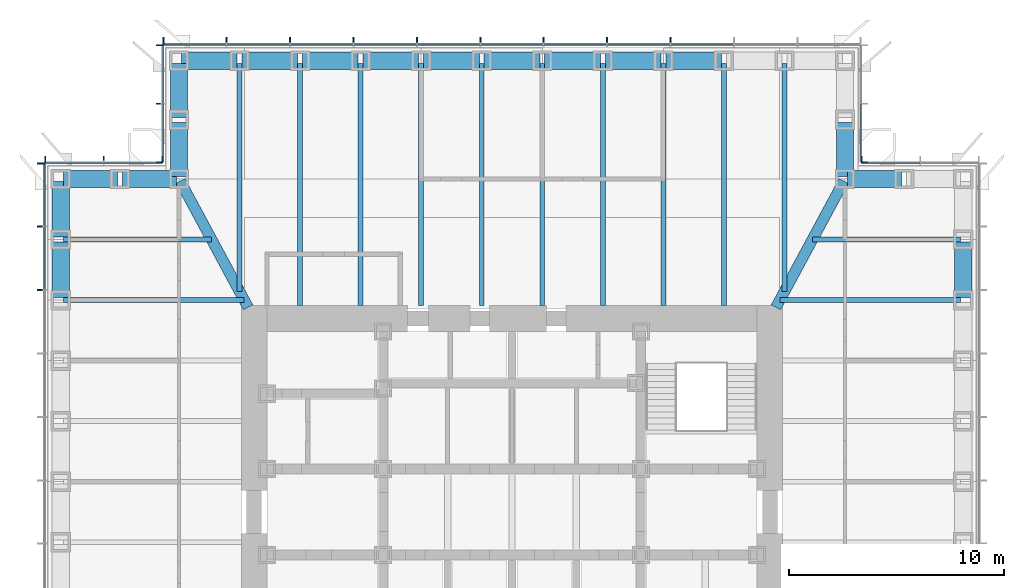
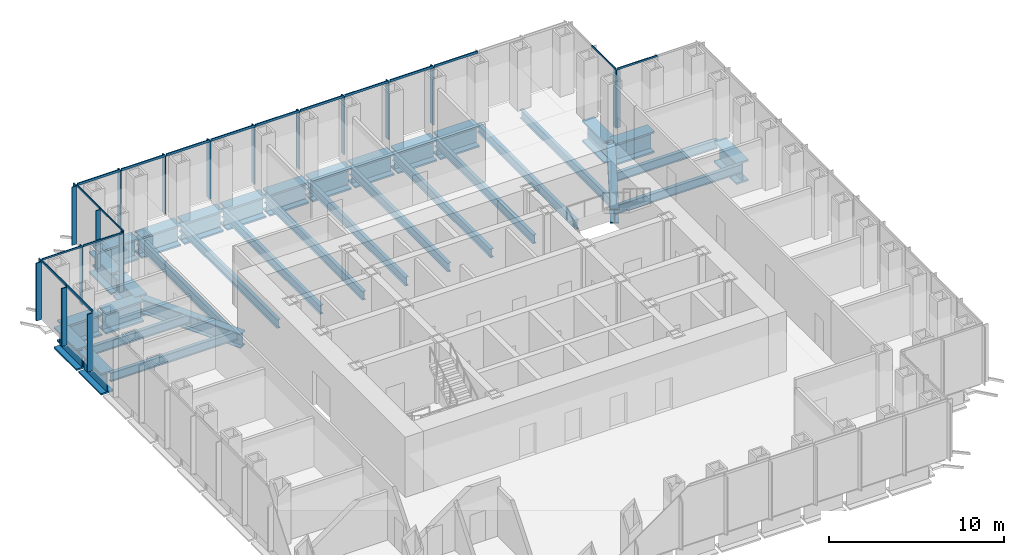
# One storey, part 5 of 17: 37 members, 34 beams, 6 elements without a shape of their own.
"""IFC4 building model written with IfcOpenShell, lengths in metres."""

from ifc_helpers import new_model, si_unit, direction, frame, origin, origin_2d, place, context, subcontext, project, spatial, rectangle, i_section, extrude, material, material_profile, profile_set, type_object, element, aggregate, save


model = new_model("IFC4")

# Units and contexts
model_context = context("Model", 3, precision=1e-05, world=origin(), true_north=direction((0.0, 1.0)))
body_context = subcontext(model_context, "Body", "Model", "MODEL_VIEW")
ifc_project = project(units=[si_unit("LENGTHUNIT", "METRE"), si_unit("AREAUNIT", "SQUARE_METRE"), si_unit("VOLUMEUNIT", "CUBIC_METRE"), si_unit("PLANEANGLEUNIT", "RADIAN"), si_unit("MASSUNIT", "GRAM", prefix="KILO")], contexts=[model_context])

# Site, building, storey
site_placement = place(None, origin())
site = spatial("IfcSite", under=ifc_project, at=site_placement, CompositionType="ELEMENT")
building_placement = place(site_placement, origin())
building = spatial("IfcBuilding", under=site, at=building_placement, Name="Daluyong Arena Tower", CompositionType="ELEMENT")
storey_placement = place(building_placement, frame((0.0, 0.0, 185.5)))
storey = spatial("IfcBuildingStorey", under=building, at=storey_placement, Name="L41", CompositionType="ELEMENT", Elevation=185.5)

# Curtain wall, members
ifc_material_1 = material(Name="Bronze anodised aluminium and glass", Category="aluminium")
curtain_wall_type_1 = type_object("IfcCurtainWallType", Name="Curtain wall CW3", PredefinedType="USERDEFINED", material=ifc_material_1)
curtain_wall_1_placement = place(storey_placement, origin())
curtain_wall_1 = element("IfcCurtainWall", 1, at=curtain_wall_1_placement, inside=storey, type_object=curtain_wall_type_1, Name="curtain wall L41 N", ObjectType="UNITISED CURTAIN WALL", PredefinedType="USERDEFINED")
ifc_material_2 = material(Name="Bronze anodised aluminium fin", Category="aluminium")
ifc_material_profile_1 = material_profile(ifc_material_2, rectangle(XDim=0.35009765625, YDim=0.070068359375, at=origin_2d()))
ifc_profile_set_1 = profile_set([ifc_material_profile_1], Name="Bronze anodised aluminium fin")
member_type_1 = type_object("IfcMemberType", Name="CW3 bronze fin 350x70", PredefinedType="MULLION", material=ifc_profile_set_1)
member_1_placement = place(storey_placement, frame((63.386474609375, 101.925048828125, 0.0), z_axis=(0.0, 0.0, 1.0), x_axis=(0.0, -1.0, 0.0)))
member_1 = element("IfcMember", 2, at=member_1_placement, type_object=member_type_1, Name="curtain wall L41 N fin 4", PredefinedType="MULLION", context=body_context, shape_type="SweptSolid", body=[
    extrude(rectangle(XDim=0.35009765625, YDim=0.070068359375, at=origin_2d()), origin(), (0.0, 0.0, 1.0), 4.0400390625),
])
member_2_placement = place(storey_placement, frame((60.431884765625, 101.925048828125, 0.0), z_axis=(0.0, 0.0, 1.0), x_axis=(0.0, -1.0, 0.0)))
member_2 = element("IfcMember", 3, at=member_2_placement, type_object=member_type_1, Name="curtain wall L41 N fin 5", PredefinedType="MULLION", context=body_context, shape_type="SweptSolid", body=[
    extrude(rectangle(XDim=0.35009765625, YDim=0.070068359375, at=origin_2d()), origin(), (0.0, 0.0, 1.0), 4.0400390625),
])
member_3_placement = place(storey_placement, frame((57.477294921875, 101.925048828125, 0.0), z_axis=(0.0, 0.0, 1.0), x_axis=(0.0, -1.0, 0.0)))
member_3 = element("IfcMember", 4, at=member_3_placement, type_object=member_type_1, Name="curtain wall L41 N fin 6", PredefinedType="MULLION", context=body_context, shape_type="SweptSolid", body=[
    extrude(rectangle(XDim=0.35009765625, YDim=0.070068359375, at=origin_2d()), origin(), (0.0, 0.0, 1.0), 4.0400390625),
])
member_4_placement = place(storey_placement, frame((54.522705078125, 101.925048828125, 0.0), z_axis=(0.0, 0.0, 1.0), x_axis=(0.0, -1.0, 0.0)))
member_4 = element("IfcMember", 5, at=member_4_placement, type_object=member_type_1, Name="curtain wall L41 N fin 7", PredefinedType="MULLION", context=body_context, shape_type="SweptSolid", body=[
    extrude(rectangle(XDim=0.35009765625, YDim=0.070068359375, at=origin_2d()), origin(), (0.0, 0.0, 1.0), 4.0400390625),
])
member_5_placement = place(storey_placement, frame((51.568115234375, 101.925048828125, 0.0), z_axis=(0.0, 0.0, 1.0), x_axis=(0.0, -1.0, 0.0)))
member_5 = element("IfcMember", 6, at=member_5_placement, type_object=member_type_1, Name="curtain wall L41 N fin 8", PredefinedType="MULLION", context=body_context, shape_type="SweptSolid", body=[
    extrude(rectangle(XDim=0.35009765625, YDim=0.070068359375, at=origin_2d()), origin(), (0.0, 0.0, 1.0), 4.0400390625),
])
member_6_placement = place(storey_placement, frame((48.613525390625, 101.925048828125, 0.0), z_axis=(0.0, 0.0, 1.0), x_axis=(0.0, -1.0, 0.0)))
member_6 = element("IfcMember", 7, at=member_6_placement, type_object=member_type_1, Name="curtain wall L41 N fin 9", PredefinedType="MULLION", context=body_context, shape_type="SweptSolid", body=[
    extrude(rectangle(XDim=0.35009765625, YDim=0.070068359375, at=origin_2d()), origin(), (0.0, 0.0, 1.0), 4.0400390625),
])
member_7_placement = place(storey_placement, frame((45.6591796875, 101.925048828125, 0.0), z_axis=(0.0, 0.0, 1.0), x_axis=(0.0, -1.0, 0.0)))
member_7 = element("IfcMember", 8, at=member_7_placement, type_object=member_type_1, Name="curtain wall L41 N fin 10", PredefinedType="MULLION", context=body_context, shape_type="SweptSolid", body=[
    extrude(rectangle(XDim=0.35009765625, YDim=0.070068359375, at=origin_2d()), origin(), (0.0, 0.0, 1.0), 4.0400390625),
])
member_8_placement = place(storey_placement, frame((42.70458984375, 101.925048828125, 0.0), z_axis=(0.0, 0.0, 1.0), x_axis=(0.0, -1.0, 0.0)))
member_8 = element("IfcMember", 9, at=member_8_placement, type_object=member_type_1, Name="curtain wall L41 N fin 11", PredefinedType="MULLION", context=body_context, shape_type="SweptSolid", body=[
    extrude(rectangle(XDim=0.35009765625, YDim=0.070068359375, at=origin_2d()), origin(), (0.0, 0.0, 1.0), 4.0400390625),
])
member_9_placement = place(storey_placement, frame((39.784912109375, 101.925048828125, 0.0), z_axis=(0.0, 0.0, 1.0), x_axis=(0.0, -1.0, 0.0)))
member_9 = element("IfcMember", 10, at=member_9_placement, type_object=member_type_1, Name="curtain wall L41 N fin 12", PredefinedType="MULLION", context=body_context, shape_type="SweptSolid", body=[
    extrude(rectangle(XDim=0.35009765625, YDim=0.070068359375, at=origin_2d()), origin(), (0.0, 0.0, 1.0), 4.0400390625),
])

curtain_wall_2_placement = place(storey_placement, origin())
curtain_wall_2 = element("IfcCurtainWall", 11, at=curtain_wall_2_placement, inside=storey, type_object=curtain_wall_type_1, Name="curtain wall L41 W", ObjectType="UNITISED CURTAIN WALL", PredefinedType="USERDEFINED")
member_10_placement = place(storey_placement, frame((34.074951171875, 96.215087890625, 0.0), z_axis=(0.0, 0.0, 1.0), x_axis=(1.0, 0.0, 0.0)))
member_10 = element("IfcMember", 12, at=member_10_placement, type_object=member_type_1, Name="curtain wall L41 W fin 1", PredefinedType="MULLION", context=body_context, shape_type="SweptSolid", body=[
    extrude(rectangle(XDim=0.35009765625, YDim=0.070068359375, at=origin_2d()), origin(), (0.0, 0.0, 1.0), 4.0400390625),
])
member_11_placement = place(storey_placement, frame((34.074951171875, 93.29541015625, 0.0), z_axis=(0.0, 0.0, 1.0), x_axis=(1.0, 0.0, 0.0)))
member_11 = element("IfcMember", 13, at=member_11_placement, type_object=member_type_1, Name="curtain wall L41 W fin 2", PredefinedType="MULLION", context=body_context, shape_type="SweptSolid", body=[
    extrude(rectangle(XDim=0.35009765625, YDim=0.070068359375, at=origin_2d()), origin(), (0.0, 0.0, 1.0), 4.0400390625),
])
member_12_placement = place(storey_placement, frame((34.074951171875, 90.3408203125, 0.0), z_axis=(0.0, 0.0, 1.0), x_axis=(1.0, 0.0, 0.0)))
member_12 = element("IfcMember", 14, at=member_12_placement, type_object=member_type_1, Name="curtain wall L41 W fin 3", PredefinedType="MULLION", context=body_context, shape_type="SweptSolid", body=[
    extrude(rectangle(XDim=0.35009765625, YDim=0.070068359375, at=origin_2d()), origin(), (0.0, 0.0, 1.0), 4.0400390625),
])

# Member
ifc_material_3 = material(Name="Bronze anodised aluminium", Category="aluminium")
ifc_material_profile_2 = material_profile(ifc_material_3, rectangle(XDim=0.070068359375, YDim=0.159912109375, at=origin_2d()))
ifc_profile_set_2 = profile_set([ifc_material_profile_2], Name="Bronze anodised aluminium")
member_type_2 = type_object("IfcMemberType", Name="CW3 stack transom 160x70", PredefinedType="USERDEFINED", material=ifc_profile_set_2)
member_13_placement = place(storey_placement, frame((66.305908203125, 101.75, 4.1201171875), z_axis=(-1.0, 0.0, 0.0), x_axis=(0.0, -1.0, 0.0)))
member_13 = element("IfcMember", 15, at=member_13_placement, type_object=member_type_2, Name="curtain wall L41 N transom 3", ObjectType="TRANSOM", PredefinedType="USERDEFINED", context=body_context, shape_type="SweptSolid", body=[
    extrude(rectangle(XDim=0.070068359375, YDim=0.159912109375, at=origin_2d()), origin(), (0.0, 0.0, 1.0), 2.884521484375),
])

member_14_placement = place(storey_placement, frame((63.351318359375, 101.75, 4.1201171875), z_axis=(-1.0, 0.0, 0.0), x_axis=(0.0, -1.0, 0.0)))
member_14 = element("IfcMember", 16, at=member_14_placement, type_object=member_type_2, Name="curtain wall L41 N transom 4", ObjectType="TRANSOM", PredefinedType="USERDEFINED", context=body_context, shape_type="SweptSolid", body=[
    extrude(rectangle(XDim=0.070068359375, YDim=0.159912109375, at=origin_2d()), origin(), (0.0, 0.0, 1.0), 2.884521484375),
])

member_15_placement = place(storey_placement, frame((60.396728515625, 101.75, 4.1201171875), z_axis=(-1.0, 0.0, 0.0), x_axis=(0.0, -1.0, 0.0)))
member_15 = element("IfcMember", 17, at=member_15_placement, type_object=member_type_2, Name="curtain wall L41 N transom 5", ObjectType="TRANSOM", PredefinedType="USERDEFINED", context=body_context, shape_type="SweptSolid", body=[
    extrude(rectangle(XDim=0.070068359375, YDim=0.159912109375, at=origin_2d()), origin(), (0.0, 0.0, 1.0), 2.884521484375),
])

member_16_placement = place(storey_placement, frame((57.4423828125, 101.75, 4.1201171875), z_axis=(-1.0, 0.0, 0.0), x_axis=(0.0, -1.0, 0.0)))
member_16 = element("IfcMember", 18, at=member_16_placement, type_object=member_type_2, Name="curtain wall L41 N transom 6", ObjectType="TRANSOM", PredefinedType="USERDEFINED", context=body_context, shape_type="SweptSolid", body=[
    extrude(rectangle(XDim=0.070068359375, YDim=0.159912109375, at=origin_2d()), origin(), (0.0, 0.0, 1.0), 2.884765625),
])

member_17_placement = place(storey_placement, frame((54.48779296875, 101.75, 4.1201171875), z_axis=(-1.0, 0.0, 0.0), x_axis=(0.0, -1.0, 0.0)))
member_17 = element("IfcMember", 19, at=member_17_placement, type_object=member_type_2, Name="curtain wall L41 N transom 7", ObjectType="TRANSOM", PredefinedType="USERDEFINED", context=body_context, shape_type="SweptSolid", body=[
    extrude(rectangle(XDim=0.070068359375, YDim=0.159912109375, at=origin_2d()), origin(), (0.0, 0.0, 1.0), 2.884521484375),
])

member_18_placement = place(storey_placement, frame((51.533203125, 101.75, 4.1201171875), z_axis=(-1.0, 0.0, 0.0), x_axis=(0.0, -1.0, 0.0)))
member_18 = element("IfcMember", 20, at=member_18_placement, type_object=member_type_2, Name="curtain wall L41 N transom 8", ObjectType="TRANSOM", PredefinedType="USERDEFINED", context=body_context, shape_type="SweptSolid", body=[
    extrude(rectangle(XDim=0.070068359375, YDim=0.159912109375, at=origin_2d()), origin(), (0.0, 0.0, 1.0), 2.884521484375),
])

member_19_placement = place(storey_placement, frame((48.57861328125, 101.75, 4.1201171875), z_axis=(-1.0, 0.0, 0.0), x_axis=(0.0, -1.0, 0.0)))
member_19 = element("IfcMember", 21, at=member_19_placement, type_object=member_type_2, Name="curtain wall L41 N transom 9", ObjectType="TRANSOM", PredefinedType="USERDEFINED", context=body_context, shape_type="SweptSolid", body=[
    extrude(rectangle(XDim=0.070068359375, YDim=0.159912109375, at=origin_2d()), origin(), (0.0, 0.0, 1.0), 2.884521484375),
])

member_20_placement = place(storey_placement, frame((45.6240234375, 101.75, 4.1201171875), z_axis=(-1.0, 0.0, 0.0), x_axis=(0.0, -1.0, 0.0)))
member_20 = element("IfcMember", 22, at=member_20_placement, type_object=member_type_2, Name="curtain wall L41 N transom 10", ObjectType="TRANSOM", PredefinedType="USERDEFINED", context=body_context, shape_type="SweptSolid", body=[
    extrude(rectangle(XDim=0.070068359375, YDim=0.159912109375, at=origin_2d()), origin(), (0.0, 0.0, 1.0), 2.884521484375),
])

member_21_placement = place(storey_placement, frame((42.66943359375, 101.75, 4.1201171875), z_axis=(-1.0, 0.0, 0.0), x_axis=(0.0, -1.0, 0.0)))
member_21 = element("IfcMember", 23, at=member_21_placement, type_object=member_type_2, Name="curtain wall L41 N transom 11", ObjectType="TRANSOM", PredefinedType="USERDEFINED", context=body_context, shape_type="SweptSolid", body=[
    extrude(rectangle(XDim=0.070068359375, YDim=0.159912109375, at=origin_2d()), origin(), (0.0, 0.0, 1.0), 2.849365234375),
])

aggregate(curtain_wall_1, [member_1, member_2, member_3, member_4, member_5, member_6, member_7, member_8, member_9, member_13, member_14, member_15, member_16, member_17, member_18, member_19, member_20, member_21])

member_22_placement = place(storey_placement, frame((34.25, 96.179931640625, 4.1201171875), z_axis=(0.0, -1.0, 0.0), x_axis=(1.0, 0.0, 0.0)))
member_22 = element("IfcMember", 24, at=member_22_placement, type_object=member_type_2, Name="curtain wall L41 W transom 1", ObjectType="TRANSOM", PredefinedType="USERDEFINED", context=body_context, shape_type="SweptSolid", body=[
    extrude(rectangle(XDim=0.070068359375, YDim=0.159912109375, at=origin_2d()), origin(), (0.0, 0.0, 1.0), 2.849365234375),
])

member_23_placement = place(storey_placement, frame((34.25, 93.260498046875, 4.1201171875), z_axis=(0.0, -1.0, 0.0), x_axis=(1.0, 0.0, 0.0)))
member_23 = element("IfcMember", 25, at=member_23_placement, type_object=member_type_2, Name="curtain wall L41 W transom 2", ObjectType="TRANSOM", PredefinedType="USERDEFINED", context=body_context, shape_type="SweptSolid", body=[
    extrude(rectangle(XDim=0.070068359375, YDim=0.159912109375, at=origin_2d()), origin(), (0.0, 0.0, 1.0), 2.884521484375),
])

aggregate(curtain_wall_2, [member_10, member_11, member_12, member_22, member_23])

# Curtain wall, member
ifc_material_4 = material(Name="Bronze anodised aluminium and glass", Category="aluminium")
curtain_wall_type_2 = type_object("IfcCurtainWallType", Name="Curtain wall CW7", PredefinedType="USERDEFINED", material=ifc_material_4)
curtain_wall_3_placement = place(storey_placement, origin())
curtain_wall_3 = element("IfcCurtainWall", 26, at=curtain_wall_3_placement, inside=storey, type_object=curtain_wall_type_2, Name="curtain wall L41 NE-N", ObjectType="UNITISED CURTAIN WALL", PredefinedType="USERDEFINED")
ifc_material_5 = material(Name="Bronze anodised aluminium fin", Category="aluminium")
ifc_material_profile_3 = material_profile(ifc_material_5, rectangle(XDim=0.300048828125, YDim=0.06005859375, at=origin_2d()))
ifc_profile_set_3 = profile_set([ifc_material_profile_3], Name="Bronze anodised aluminium fin")
member_type_3 = type_object("IfcMemberType", Name="CW7 bronze fin 300x60", PredefinedType="MULLION", material=ifc_profile_set_3)
member_24_placement = place(storey_placement, frame((72.280029296875, 96.39990234375, 0.0), z_axis=(0.0, 0.0, 1.0), x_axis=(0.0, -1.0, 0.0)))
member_24 = element("IfcMember", 27, at=member_24_placement, type_object=member_type_3, Name="curtain wall L41 NE-N fin 3", PredefinedType="MULLION", context=body_context, shape_type="SweptSolid", body=[
    extrude(rectangle(XDim=0.300048828125, YDim=0.06005859375, at=origin_2d()), origin(), (0.0, 0.0, 1.0), 4.080078125),
])

curtain_wall_4_placement = place(storey_placement, origin())
curtain_wall_4 = element("IfcCurtainWall", 28, at=curtain_wall_4_placement, inside=storey, type_object=curtain_wall_type_2, Name="curtain wall L41 NE-E", ObjectType="UNITISED CURTAIN WALL", PredefinedType="USERDEFINED")
member_25_placement = place(storey_placement, frame((72.39990234375, 96.280029296875, 0.0), z_axis=(0.0, 0.0, 1.0), x_axis=(-1.0, 0.0, 0.0)))
member_25 = element("IfcMember", 29, at=member_25_placement, type_object=member_type_3, Name="curtain wall L41 NE-E fin 1", PredefinedType="MULLION", context=body_context, shape_type="SweptSolid", body=[
    extrude(rectangle(XDim=0.300048828125, YDim=0.06005859375, at=origin_2d()), origin(), (0.0, 0.0, 1.0), 4.080078125),
])

# Curtain wall, members
curtain_wall_5_placement = place(storey_placement, origin())
curtain_wall_5 = element("IfcCurtainWall", 30, at=curtain_wall_5_placement, inside=storey, type_object=curtain_wall_type_2, Name="curtain wall L41 NW-W", ObjectType="UNITISED CURTAIN WALL", PredefinedType="USERDEFINED")
member_26_placement = place(storey_placement, frame((39.60009765625, 101.719970703125, 0.0), z_axis=(0.0, 0.0, 1.0), x_axis=(1.0, 0.0, 0.0)))
member_26 = element("IfcMember", 31, at=member_26_placement, type_object=member_type_3, Name="curtain wall L41 NW-W fin 1", PredefinedType="MULLION", context=body_context, shape_type="SweptSolid", body=[
    extrude(rectangle(XDim=0.300048828125, YDim=0.06005859375, at=origin_2d()), origin(), (0.0, 0.0, 1.0), 4.080078125),
])
member_27_placement = place(storey_placement, frame((39.60009765625, 99.0, 0.0), z_axis=(0.0, 0.0, 1.0), x_axis=(1.0, 0.0, 0.0)))
member_27 = element("IfcMember", 32, at=member_27_placement, type_object=member_type_3, Name="curtain wall L41 NW-W fin 2", PredefinedType="MULLION", context=body_context, shape_type="SweptSolid", body=[
    extrude(rectangle(XDim=0.300048828125, YDim=0.06005859375, at=origin_2d()), origin(), (0.0, 0.0, 1.0), 4.080078125),
])
member_28_placement = place(storey_placement, frame((39.60009765625, 96.280029296875, 0.0), z_axis=(0.0, 0.0, 1.0), x_axis=(1.0, 0.0, 0.0)))
member_28 = element("IfcMember", 33, at=member_28_placement, type_object=member_type_3, Name="curtain wall L41 NW-W fin 3", PredefinedType="MULLION", context=body_context, shape_type="SweptSolid", body=[
    extrude(rectangle(XDim=0.300048828125, YDim=0.06005859375, at=origin_2d()), origin(), (0.0, 0.0, 1.0), 4.080078125),
])

curtain_wall_6_placement = place(storey_placement, origin())
curtain_wall_6 = element("IfcCurtainWall", 34, at=curtain_wall_6_placement, inside=storey, type_object=curtain_wall_type_2, Name="curtain wall L41 NW-N", ObjectType="UNITISED CURTAIN WALL", PredefinedType="USERDEFINED")
member_29_placement = place(storey_placement, frame((39.719970703125, 96.39990234375, 0.0), z_axis=(0.0, 0.0, 1.0), x_axis=(0.0, -1.0, 0.0)))
member_29 = element("IfcMember", 35, at=member_29_placement, type_object=member_type_3, Name="curtain wall L41 NW-N fin 1", PredefinedType="MULLION", context=body_context, shape_type="SweptSolid", body=[
    extrude(rectangle(XDim=0.300048828125, YDim=0.06005859375, at=origin_2d()), origin(), (0.0, 0.0, 1.0), 4.080078125),
])
member_30_placement = place(storey_placement, frame((37.0, 96.39990234375, 0.0), z_axis=(0.0, 0.0, 1.0), x_axis=(0.0, -1.0, 0.0)))
member_30 = element("IfcMember", 36, at=member_30_placement, type_object=member_type_3, Name="curtain wall L41 NW-N fin 2", PredefinedType="MULLION", context=body_context, shape_type="SweptSolid", body=[
    extrude(rectangle(XDim=0.300048828125, YDim=0.06005859375, at=origin_2d()), origin(), (0.0, 0.0, 1.0), 4.080078125),
])
member_31_placement = place(storey_placement, frame((34.280029296875, 96.39990234375, 0.0), z_axis=(0.0, 0.0, 1.0), x_axis=(0.0, -1.0, 0.0)))
member_31 = element("IfcMember", 37, at=member_31_placement, type_object=member_type_3, Name="curtain wall L41 NW-N fin 3", PredefinedType="MULLION", context=body_context, shape_type="SweptSolid", body=[
    extrude(rectangle(XDim=0.300048828125, YDim=0.06005859375, at=origin_2d()), origin(), (0.0, 0.0, 1.0), 4.080078125),
])

# Member
ifc_material_6 = material(Name="Bronze anodised aluminium", Category="aluminium")
ifc_material_profile_4 = material_profile(ifc_material_6, rectangle(XDim=0.06005859375, YDim=0.1201171875, at=origin_2d()))
ifc_profile_set_4 = profile_set([ifc_material_profile_4], Name="Bronze anodised aluminium")
member_type_4 = type_object("IfcMemberType", Name="CW7 stack transom 120x60", PredefinedType="USERDEFINED", material=ifc_profile_set_4)
member_32_placement = place(storey_placement, frame((74.969970703125, 96.25, 4.139892578125), z_axis=(-1.0, 0.0, 0.0), x_axis=(0.0, -1.0, 0.0)))
member_32 = element("IfcMember", 38, at=member_32_placement, type_object=member_type_4, Name="curtain wall L41 NE-N transom 2", ObjectType="TRANSOM", PredefinedType="USERDEFINED", context=body_context, shape_type="SweptSolid", body=[
    extrude(rectangle(XDim=0.06005859375, YDim=0.1201171875, at=origin_2d()), origin(), (0.0, 0.0, 1.0), 2.659912109375),
])

aggregate(curtain_wall_3, [member_24, member_32])

member_33_placement = place(storey_placement, frame((72.25, 96.31005859375, 4.139892578125), z_axis=(0.0, 1.0, 0.0), x_axis=(-1.0, 0.0, 0.0)))
member_33 = element("IfcMember", 39, at=member_33_placement, type_object=member_type_4, Name="curtain wall L41 NE-E transom 1", ObjectType="TRANSOM", PredefinedType="USERDEFINED", context=body_context, shape_type="SweptSolid", body=[
    extrude(rectangle(XDim=0.06005859375, YDim=0.1201171875, at=origin_2d()), origin(), (0.0, 0.0, 1.0), 2.659912109375),
])

aggregate(curtain_wall_4, [member_25, member_33])

member_34_placement = place(storey_placement, frame((39.75, 101.68994140625, 4.139892578125), z_axis=(0.0, -1.0, 0.0), x_axis=(1.0, 0.0, 0.0)))
member_34 = element("IfcMember", 40, at=member_34_placement, type_object=member_type_4, Name="curtain wall L41 NW-W transom 1", ObjectType="TRANSOM", PredefinedType="USERDEFINED", context=body_context, shape_type="SweptSolid", body=[
    extrude(rectangle(XDim=0.06005859375, YDim=0.1201171875, at=origin_2d()), origin(), (0.0, 0.0, 1.0), 2.659912109375),
])

member_35_placement = place(storey_placement, frame((39.75, 98.969970703125, 4.139892578125), z_axis=(0.0, -1.0, 0.0), x_axis=(1.0, 0.0, 0.0)))
member_35 = element("IfcMember", 41, at=member_35_placement, type_object=member_type_4, Name="curtain wall L41 NW-W transom 2", ObjectType="TRANSOM", PredefinedType="USERDEFINED", context=body_context, shape_type="SweptSolid", body=[
    extrude(rectangle(XDim=0.06005859375, YDim=0.1201171875, at=origin_2d()), origin(), (0.0, 0.0, 1.0), 2.659912109375),
])

aggregate(curtain_wall_5, [member_26, member_27, member_28, member_34, member_35])

member_36_placement = place(storey_placement, frame((39.68994140625, 96.25, 4.139892578125), z_axis=(-1.0, 0.0, 0.0), x_axis=(0.0, -1.0, 0.0)))
member_36 = element("IfcMember", 42, at=member_36_placement, type_object=member_type_4, Name="curtain wall L41 NW-N transom 1", ObjectType="TRANSOM", PredefinedType="USERDEFINED", context=body_context, shape_type="SweptSolid", body=[
    extrude(rectangle(XDim=0.06005859375, YDim=0.1201171875, at=origin_2d()), origin(), (0.0, 0.0, 1.0), 2.659912109375),
])

member_37_placement = place(storey_placement, frame((36.969970703125, 96.25, 4.139892578125), z_axis=(-1.0, 0.0, 0.0), x_axis=(0.0, -1.0, 0.0)))
member_37 = element("IfcMember", 43, at=member_37_placement, type_object=member_type_4, Name="curtain wall L41 NW-N transom 2", ObjectType="TRANSOM", PredefinedType="USERDEFINED", context=body_context, shape_type="SweptSolid", body=[
    extrude(rectangle(XDim=0.06005859375, YDim=0.1201171875, at=origin_2d()), origin(), (0.0, 0.0, 1.0), 2.659912109375),
])

aggregate(curtain_wall_6, [member_29, member_30, member_31, member_36, member_37])

# Beams
ifc_material_7 = material(Name="Steel ASTM A572 Grade 50", Category="steel")
ifc_material_profile_5 = material_profile(ifc_material_7, i_section(OverallWidth=0.5, OverallDepth=1.0, WebThickness=0.03, FlangeThickness=0.06, at=origin_2d()))
ifc_profile_set_5 = profile_set([ifc_material_profile_5], Name="Steel ASTM A572 Grade 50")
beam_type_1 = type_object("IfcBeamType", Name="Corner girder TB1000X500", PredefinedType="BEAM", material=ifc_profile_set_5)
for number, where, z_axis, x_axis, name in (
    (44, (71.445556640625, 95.398681640625, -0.659912109375), (-0.474119475266, -0.880460517669, 0.0), (0.880460517669, -0.474119475266, 0.0), "corner girder DG2"),
    (45, (40.554443359375, 95.398681640625, -0.659912109375), (0.474119475266, -0.880460517669, 0.0), (0.880460517669, 0.474119475266, 0.0), "corner girder DG2"),
):
    element("IfcBeam", number, at=place(storey_placement, frame(where, z_axis=z_axis, x_axis=x_axis)), inside=storey, type_object=beam_type_1, Name=name, PredefinedType="BEAM", context=body_context, shape_type="SweptSolid", body=[
        extrude(i_section(OverallWidth=0.5, OverallDepth=1.0, WebThickness=0.03, FlangeThickness=0.06, at=origin_2d()), origin(), (0.0, 0.0, 1.0), 6.66748046875),
    ])
ifc_material_8 = material(Name="Steel ASTM A992 Grade 50", Category="steel")
ifc_material_profile_6 = material_profile(ifc_material_8, i_section(OverallWidth=0.22900390625, OverallDepth=0.612060546875, WebThickness=0.011962890625, FlangeThickness=0.01953125, at=origin_2d()))
ifc_profile_set_6 = profile_set([ifc_material_profile_6], Name="Steel ASTM A992 Grade 50")
beam_type_2 = type_object("IfcBeamType", Name="Floor beam W24X84", PredefinedType="BEAM", material=ifc_profile_set_6)
beam_1_placement = place(storey_placement, frame((76.885009765625, 89.863525390625, -0.466064453125), z_axis=(-1.0, 0.0, 0.0), x_axis=(0.0, -1.0, 0.0)))
element("IfcBeam", 46, at=beam_1_placement, inside=storey, type_object=beam_type_2, Name="floor beam FB3", PredefinedType="BEAM", context=body_context, shape_type="SweptSolid", body=[
    extrude(i_section(OverallWidth=0.22900390625, OverallDepth=0.612060546875, WebThickness=0.011962890625, FlangeThickness=0.01953125, at=origin_2d()), origin(), (0.0, 0.0, 1.0), 8.419921875),
])
beam_2_placement = place(storey_placement, frame((76.885009765625, 92.681884765625, -0.466064453125), z_axis=(-1.0, 0.0, 0.0), x_axis=(0.0, -1.0, 0.0)))
element("IfcBeam", 47, at=beam_2_placement, inside=storey, type_object=beam_type_2, Name="floor beam FB3", PredefinedType="BEAM", context=body_context, shape_type="SweptSolid", body=[
    extrude(i_section(OverallWidth=0.22900390625, OverallDepth=0.612060546875, WebThickness=0.011962890625, FlangeThickness=0.01953125, at=origin_2d()), origin(), (0.0, 0.0, 1.0), 6.902587890625),
])
beam_3_placement = place(storey_placement, frame((68.681884765625, 100.885009765625, -0.466064453125), z_axis=(0.0, -1.0, 0.0), x_axis=(1.0, 0.0, 0.0)))
element("IfcBeam", 48, at=beam_3_placement, inside=storey, type_object=beam_type_2, Name="floor beam FB3", PredefinedType="BEAM", context=body_context, shape_type="SweptSolid", body=[
    extrude(i_section(OverallWidth=0.22900390625, OverallDepth=0.612060546875, WebThickness=0.011962890625, FlangeThickness=0.01953125, at=origin_2d()), origin(), (0.0, 0.0, 1.0), 10.618896484375),
])
for number, where, z_axis, x_axis, name in (
    (49, (65.863525390625, 100.885009765625, -0.466064453125), (0.0, -1.0, 0.0), (1.0, 0.0, 0.0), "floor beam FB3"),
    (50, (63.04541015625, 100.885009765625, -0.466064453125), (0.0, -1.0, 0.0), (1.0, 0.0, 0.0), "floor beam FB3"),
    (51, (60.227294921875, 100.885009765625, -0.466064453125), (0.0, -1.0, 0.0), (1.0, 0.0, 0.0), "floor beam FB3"),
    (52, (57.4091796875, 100.885009765625, -0.466064453125), (0.0, -1.0, 0.0), (1.0, 0.0, 0.0), "floor beam FB3"),
    (53, (54.5908203125, 100.885009765625, -0.466064453125), (0.0, -1.0, 0.0), (1.0, 0.0, 0.0), "floor beam FB3"),
    (54, (51.772705078125, 100.885009765625, -0.466064453125), (0.0, -1.0, 0.0), (1.0, 0.0, 0.0), "floor beam FB3"),
    (55, (48.95458984375, 100.885009765625, -0.466064453125), (0.0, -1.0, 0.0), (1.0, 0.0, 0.0), "floor beam FB3"),
    (56, (46.136474609375, 100.885009765625, -0.466064453125), (0.0, -1.0, 0.0), (1.0, 0.0, 0.0), "floor beam FB3"),
):
    element("IfcBeam", number, at=place(storey_placement, frame(where, z_axis=z_axis, x_axis=x_axis)), inside=storey, type_object=beam_type_2, Name=name, PredefinedType="BEAM", context=body_context, shape_type="SweptSolid", body=[
        extrude(i_section(OverallWidth=0.22900390625, OverallDepth=0.612060546875, WebThickness=0.011962890625, FlangeThickness=0.01953125, at=origin_2d()), origin(), (0.0, 0.0, 1.0), 11.284912109375),
    ])
beam_4_placement = place(storey_placement, frame((43.318115234375, 100.885009765625, -0.466064453125), z_axis=(0.0, -1.0, 0.0), x_axis=(1.0, 0.0, 0.0)))
element("IfcBeam", 57, at=beam_4_placement, inside=storey, type_object=beam_type_2, Name="floor beam FB3", PredefinedType="BEAM", context=body_context, shape_type="SweptSolid", body=[
    extrude(i_section(OverallWidth=0.22900390625, OverallDepth=0.612060546875, WebThickness=0.011962890625, FlangeThickness=0.01953125, at=origin_2d()), origin(), (0.0, 0.0, 1.0), 10.618896484375),
])
beam_5_placement = place(storey_placement, frame((35.114990234375, 92.681884765625, -0.466064453125), z_axis=(1.0, 0.0, 0.0), x_axis=(0.0, 1.0, 0.0)))
element("IfcBeam", 58, at=beam_5_placement, inside=storey, type_object=beam_type_2, Name="floor beam FB3", PredefinedType="BEAM", context=body_context, shape_type="SweptSolid", body=[
    extrude(i_section(OverallWidth=0.22900390625, OverallDepth=0.612060546875, WebThickness=0.011962890625, FlangeThickness=0.01953125, at=origin_2d()), origin(), (0.0, 0.0, 1.0), 6.902587890625),
])
beam_6_placement = place(storey_placement, frame((35.114990234375, 89.863525390625, -0.466064453125), z_axis=(1.0, 0.0, 0.0), x_axis=(0.0, 1.0, 0.0)))
element("IfcBeam", 59, at=beam_6_placement, inside=storey, type_object=beam_type_2, Name="floor beam FB3", PredefinedType="BEAM", context=body_context, shape_type="SweptSolid", body=[
    extrude(i_section(OverallWidth=0.22900390625, OverallDepth=0.612060546875, WebThickness=0.011962890625, FlangeThickness=0.01953125, at=origin_2d()), origin(), (0.0, 0.0, 1.0), 8.419921875),
])
ifc_material_9 = material(Name="Steel ASTM A588 Grade 50", Category="steel")
ifc_material_profile_7 = material_profile(ifc_material_9, i_section(OverallWidth=0.800048828125, OverallDepth=1.5, WebThickness=0.05, FlangeThickness=0.12, at=origin_2d()))
ifc_profile_set_7 = profile_set([ifc_material_profile_7], Name="Steel ASTM A588 Grade 50")
beam_type_3 = type_object("IfcBeamType", Name="Spandrel Z3 PG1500X800", PredefinedType="SPANDREL", material=ifc_profile_set_7)
beam_7_placement = place(storey_placement, frame((77.0, 89.978515625, -0.909912109375), z_axis=(0.0, 1.0, 0.0), x_axis=(-1.0, 0.0, 0.0)))
element("IfcBeam", 60, at=beam_7_placement, inside=storey, type_object=beam_type_3, Name="spandrel z3 SB7", PredefinedType="SPANDREL", context=body_context, shape_type="SweptSolid", body=[
    extrude(i_section(OverallWidth=0.800048828125, OverallDepth=1.5, WebThickness=0.05, FlangeThickness=0.12, at=origin_2d()), origin(), (0.0, 0.0, 1.0), 2.58837890625),
])
for number, where, z_axis, x_axis, name in (
    (61, (74.135009765625, 95.5, -0.909912109375), (-1.0, 0.0, 0.0), (0.0, -1.0, 0.0), "spandrel z3 SB7"),
    (62, (71.5, 95.614990234375, -0.909912109375), (0.0, 1.0, 0.0), (-1.0, 0.0, 0.0), "spandrel z3 SB7"),
):
    element("IfcBeam", number, at=place(storey_placement, frame(where, z_axis=z_axis, x_axis=x_axis)), inside=storey, type_object=beam_type_3, Name=name, PredefinedType="SPANDREL", context=body_context, shape_type="SweptSolid", body=[
        extrude(i_section(OverallWidth=0.800048828125, OverallDepth=1.5, WebThickness=0.05, FlangeThickness=0.12, at=origin_2d()), origin(), (0.0, 0.0, 1.0), 2.52001953125),
    ])
for number, where, z_axis, x_axis, name in (
    (63, (65.74853515625, 101.0, -0.909912109375), (-1.0, 0.0, 0.0), (0.0, -1.0, 0.0), "spandrel z3 SB7"),
    (64, (62.930419921875, 101.0, -0.909912109375), (-1.0, 0.0, 0.0), (0.0, -1.0, 0.0), "spandrel z3 SB7"),
    (65, (60.1123046875, 101.0, -0.909912109375), (-1.0, 0.0, 0.0), (0.0, -1.0, 0.0), "spandrel z3 SB7"),
):
    element("IfcBeam", number, at=place(storey_placement, frame(where, z_axis=z_axis, x_axis=x_axis)), inside=storey, type_object=beam_type_3, Name=name, PredefinedType="SPANDREL", context=body_context, shape_type="SweptSolid", body=[
        extrude(i_section(OverallWidth=0.800048828125, OverallDepth=1.5, WebThickness=0.05, FlangeThickness=0.12, at=origin_2d()), origin(), (0.0, 0.0, 1.0), 2.588134765625),
    ])
beam_8_placement = place(storey_placement, frame((57.294189453125, 101.0, -0.909912109375), z_axis=(-1.0, 0.0, 0.0), x_axis=(0.0, -1.0, 0.0)))
element("IfcBeam", 66, at=beam_8_placement, inside=storey, type_object=beam_type_3, Name="spandrel z3 SB7", PredefinedType="SPANDREL", context=body_context, shape_type="SweptSolid", body=[
    extrude(i_section(OverallWidth=0.800048828125, OverallDepth=1.5, WebThickness=0.05, FlangeThickness=0.12, at=origin_2d()), origin(), (0.0, 0.0, 1.0), 2.58837890625),
])
for number, where, z_axis, x_axis, name in (
    (67, (54.475830078125, 101.0, -0.909912109375), (-1.0, 0.0, 0.0), (0.0, -1.0, 0.0), "spandrel z3 SB7"),
    (68, (51.65771484375, 101.0, -0.909912109375), (-1.0, 0.0, 0.0), (0.0, -1.0, 0.0), "spandrel z3 SB7"),
    (69, (48.839599609375, 101.0, -0.909912109375), (-1.0, 0.0, 0.0), (0.0, -1.0, 0.0), "spandrel z3 SB7"),
):
    element("IfcBeam", number, at=place(storey_placement, frame(where, z_axis=z_axis, x_axis=x_axis)), inside=storey, type_object=beam_type_3, Name=name, PredefinedType="SPANDREL", context=body_context, shape_type="SweptSolid", body=[
        extrude(i_section(OverallWidth=0.800048828125, OverallDepth=1.5, WebThickness=0.05, FlangeThickness=0.12, at=origin_2d()), origin(), (0.0, 0.0, 1.0), 2.588134765625),
    ])
beam_9_placement = place(storey_placement, frame((46.021484375, 101.0, -0.909912109375), z_axis=(-1.0, 0.0, 0.0), x_axis=(0.0, -1.0, 0.0)))
element("IfcBeam", 70, at=beam_9_placement, inside=storey, type_object=beam_type_3, Name="spandrel z3 SB7", PredefinedType="SPANDREL", context=body_context, shape_type="SweptSolid", body=[
    extrude(i_section(OverallWidth=0.800048828125, OverallDepth=1.5, WebThickness=0.05, FlangeThickness=0.12, at=origin_2d()), origin(), (0.0, 0.0, 1.0), 2.58837890625),
])
beam_10_placement = place(storey_placement, frame((43.203125, 101.0, -0.909912109375), z_axis=(-1.0, 0.0, 0.0), x_axis=(0.0, -1.0, 0.0)))
element("IfcBeam", 71, at=beam_10_placement, inside=storey, type_object=beam_type_3, Name="spandrel z3 SB7", PredefinedType="SPANDREL", context=body_context, shape_type="SweptSolid", body=[
    extrude(i_section(OverallWidth=0.800048828125, OverallDepth=1.5, WebThickness=0.05, FlangeThickness=0.12, at=origin_2d()), origin(), (0.0, 0.0, 1.0), 2.588134765625),
])
for number, where, z_axis, x_axis, name in (
    (72, (40.5, 100.885009765625, -0.909912109375), (0.0, -1.0, 0.0), (1.0, 0.0, 0.0), "spandrel z3 SB7"),
    (73, (40.5, 98.135009765625, -0.909912109375), (0.0, -1.0, 0.0), (1.0, 0.0, 0.0), "spandrel z3 SB7"),
    (74, (40.385009765625, 95.5, -0.909912109375), (-1.0, 0.0, 0.0), (0.0, -1.0, 0.0), "spandrel z3 SB7"),
    (75, (37.635009765625, 95.5, -0.909912109375), (-1.0, 0.0, 0.0), (0.0, -1.0, 0.0), "spandrel z3 SB7"),
):
    element("IfcBeam", number, at=place(storey_placement, frame(where, z_axis=z_axis, x_axis=x_axis)), inside=storey, type_object=beam_type_3, Name=name, PredefinedType="SPANDREL", context=body_context, shape_type="SweptSolid", body=[
        extrude(i_section(OverallWidth=0.800048828125, OverallDepth=1.5, WebThickness=0.05, FlangeThickness=0.12, at=origin_2d()), origin(), (0.0, 0.0, 1.0), 2.52001953125),
    ])
beam_11_placement = place(storey_placement, frame((35.0, 95.385009765625, -0.909912109375), z_axis=(0.0, -1.0, 0.0), x_axis=(1.0, 0.0, 0.0)))
element("IfcBeam", 76, at=beam_11_placement, inside=storey, type_object=beam_type_3, Name="spandrel z3 SB7", PredefinedType="SPANDREL", context=body_context, shape_type="SweptSolid", body=[
    extrude(i_section(OverallWidth=0.800048828125, OverallDepth=1.5, WebThickness=0.05, FlangeThickness=0.12, at=origin_2d()), origin(), (0.0, 0.0, 1.0), 2.588134765625),
])
beam_12_placement = place(storey_placement, frame((35.0, 92.56689453125, -0.909912109375), z_axis=(0.0, -1.0, 0.0), x_axis=(1.0, 0.0, 0.0)))
element("IfcBeam", 77, at=beam_12_placement, inside=storey, type_object=beam_type_3, Name="spandrel z3 SB7", PredefinedType="SPANDREL", context=body_context, shape_type="SweptSolid", body=[
    extrude(i_section(OverallWidth=0.800048828125, OverallDepth=1.5, WebThickness=0.05, FlangeThickness=0.12, at=origin_2d()), origin(), (0.0, 0.0, 1.0), 2.58837890625),
])

save(model, "model.ifc")
